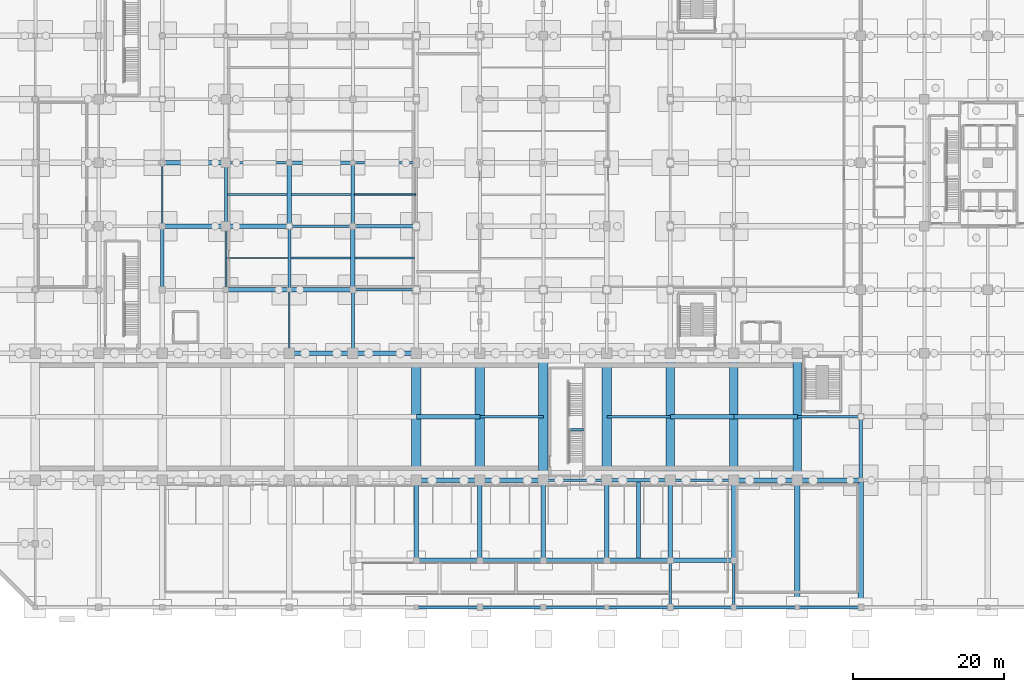
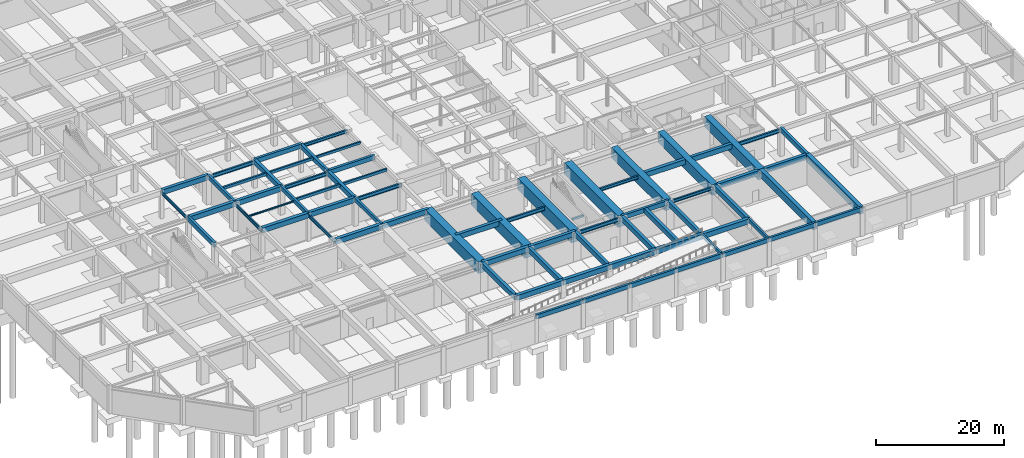
# One storey, part 11 of 26: 74 beams.
"""IFC4 building model written with IfcOpenShell, lengths in metres."""

from ifc_helpers import new_model, si_unit, direction, frame, origin, origin_2d, place, context, subcontext, project, spatial, rectangle, i_section, extrude, material, material_profile, profile_set, type_object, element, save


model = new_model("IFC4")

# Units and contexts
model_context = context("Model", 3, precision=1e-05, world=origin(), true_north=direction((0.0, 1.0)))
body_context = subcontext(model_context, "Body", "Model", "MODEL_VIEW")
ifc_project = project(units=[si_unit("LENGTHUNIT", "METRE"), si_unit("AREAUNIT", "SQUARE_METRE"), si_unit("VOLUMEUNIT", "CUBIC_METRE"), si_unit("PLANEANGLEUNIT", "RADIAN"), si_unit("MASSUNIT", "GRAM", prefix="KILO")], contexts=[model_context])

# Site, building, storey
site_placement = place(None, origin())
site = spatial("IfcSite", under=ifc_project, at=site_placement, CompositionType="ELEMENT")
building_placement = place(site_placement, origin())
building = spatial("IfcBuilding", under=site, at=building_placement, Name="Xuanlan Plaza Opera House", CompositionType="ELEMENT")
storey_placement = place(building_placement, frame((0.0, 0.0, -5.39990234375)))
storey = spatial("IfcBuildingStorey", under=building, at=storey_placement, Name="B01", CompositionType="ELEMENT", Elevation=-5.39990234375)

# Beams
ifc_material_1 = material(Name="Concrete C50", Category="concrete")
ifc_material_profile_1 = material_profile(ifc_material_1, rectangle(XDim=0.60009765625, YDim=0.949951171875, at=origin_2d()), Name="RC-BM 600x950")
ifc_profile_set_1 = profile_set([ifc_material_profile_1], Name="Concrete C50")
beam_type_1 = type_object("IfcBeamType", Name="STR-BM-B-01", PredefinedType="BEAM", material=ifc_profile_set_1)
for number, where, z_axis, x_axis, name in (
    (1, (67.199951171875, 16.800048828125, 4.9248046875), (1.0, 0.0, 0.0), (0.0, 1.0, 0.0), "Grid Beam X B01 9-10/C"),
    (2, (109.199951171875, 16.800048828125, 4.9248046875), (1.0, 0.0, 0.0), (0.0, 1.0, 0.0), "Grid Beam X B01 14-15/C"),
):
    element("IfcBeam", number, at=place(storey_placement, frame(where, z_axis=z_axis, x_axis=x_axis)), inside=storey, type_object=beam_type_1, Name=name, PredefinedType="BEAM", context=body_context, shape_type="SweptSolid", body=[
        extrude(rectangle(XDim=0.60009765625, YDim=0.949951171875, at=origin_2d()), origin(), (0.0, 0.0, 1.0), 8.400146484375),
    ])
beam_1_placement = place(storey_placement, frame((100.800048828125, 25.199951171875, 4.9248046875), z_axis=(1.0, 0.0, 0.0), x_axis=(0.0, 1.0, 0.0)))
element("IfcBeam", 3, at=beam_1_placement, inside=storey, type_object=beam_type_1, Name="Grid Beam X B01 13-14/D", PredefinedType="BEAM", context=body_context, shape_type="SweptSolid", body=[
    extrude(rectangle(XDim=0.60009765625, YDim=0.949951171875, at=origin_2d()), origin(), (0.0, 0.0, 1.0), 8.39990234375),
])
beam_2_placement = place(storey_placement, frame((50.39990234375, 33.60009765625, 4.9248046875), z_axis=(1.0, 0.0, 0.0), x_axis=(0.0, 1.0, 0.0)))
element("IfcBeam", 4, at=beam_2_placement, inside=storey, type_object=beam_type_1, Name="Grid Beam X B01 7-8/E", PredefinedType="BEAM", context=body_context, shape_type="SweptSolid", body=[
    extrude(rectangle(XDim=0.60009765625, YDim=0.949951171875, at=origin_2d()), origin(), (0.0, 0.0, 1.0), 8.400146484375),
])
for number, where, z_axis, x_axis, name in (
    (5, (42.0, 42.0, 4.9248046875), (1.0, 0.0, 0.0), (0.0, 1.0, 0.0), "Grid Beam X B01 6-7/F"),
    (6, (33.60009765625, 50.39990234375, 4.9248046875), (1.0, 0.0, 0.0), (0.0, 1.0, 0.0), "Grid Beam X B01 5-6/G"),
):
    element("IfcBeam", number, at=place(storey_placement, frame(where, z_axis=z_axis, x_axis=x_axis)), inside=storey, type_object=beam_type_1, Name=name, PredefinedType="BEAM", context=body_context, shape_type="SweptSolid", body=[
        extrude(rectangle(XDim=0.60009765625, YDim=0.949951171875, at=origin_2d()), origin(), (0.0, 0.0, 1.0), 8.39990234375),
    ])
beam_3_placement = place(storey_placement, frame((67.199951171875, 6.199951171875, 4.9248046875), z_axis=(1.0, 0.0, 0.0), x_axis=(0.0, 1.0, 0.0)))
element("IfcBeam", 7, at=beam_3_placement, inside=storey, type_object=beam_type_1, Name="Vehicle Ramp Edge Trimmer Beam B01 X67-75", PredefinedType="BEAM", context=body_context, shape_type="SweptSolid", body=[
    extrude(rectangle(XDim=0.60009765625, YDim=0.949951171875, at=origin_2d()), origin(), (0.0, 0.0, 1.0), 8.400146484375),
])
for number, where, z_axis, x_axis, name in (
    (8, (75.60009765625, 6.199951171875, 4.9248046875), (1.0, 0.0, 0.0), (0.0, 1.0, 0.0), "Vehicle Ramp Edge Trimmer Beam B01 X75-84"),
    (9, (84.0, 6.199951171875, 4.9248046875), (1.0, 0.0, 0.0), (0.0, 1.0, 0.0), "Vehicle Ramp Edge Trimmer Beam B01 X84-92"),
):
    element("IfcBeam", number, at=place(storey_placement, frame(where, z_axis=z_axis, x_axis=x_axis)), inside=storey, type_object=beam_type_1, Name=name, PredefinedType="BEAM", context=body_context, shape_type="SweptSolid", body=[
        extrude(rectangle(XDim=0.60009765625, YDim=0.949951171875, at=origin_2d()), origin(), (0.0, 0.0, 1.0), 8.39990234375),
    ])
beam_4_placement = place(storey_placement, frame((92.39990234375, 6.199951171875, 4.9248046875), z_axis=(1.0, 0.0, 0.0), x_axis=(0.0, 1.0, 0.0)))
element("IfcBeam", 10, at=beam_4_placement, inside=storey, type_object=beam_type_1, Name="Vehicle Ramp Edge Trimmer Beam B01 X92-100", PredefinedType="BEAM", context=body_context, shape_type="SweptSolid", body=[
    extrude(rectangle(XDim=0.60009765625, YDim=0.949951171875, at=origin_2d()), origin(), (0.0, 0.0, 1.0), 8.400146484375),
])
beam_5_placement = place(storey_placement, frame((100.800048828125, 6.199951171875, 4.9248046875), z_axis=(1.0, 0.0, 0.0), x_axis=(0.0, 1.0, 0.0)))
element("IfcBeam", 11, at=beam_5_placement, inside=storey, type_object=beam_type_1, Name="Vehicle Ramp Edge Trimmer Beam B01 X100-109", PredefinedType="BEAM", context=body_context, shape_type="SweptSolid", body=[
    extrude(rectangle(XDim=0.60009765625, YDim=0.949951171875, at=origin_2d()), origin(), (0.0, 0.0, 1.0), 8.39990234375),
])
ifc_material_profile_2 = material_profile(ifc_material_1, rectangle(XDim=0.550048828125, YDim=0.949951171875, at=origin_2d()), Name="RC-BM 550x950")
ifc_profile_set_2 = profile_set([ifc_material_profile_2], Name="Concrete C50")
beam_type_2 = type_object("IfcBeamType", Name="STR-BM-B-02", PredefinedType="BEAM", material=ifc_profile_set_2)
for number, where, z_axis, x_axis, name in (
    (12, (75.60009765625, 16.800048828125, 4.9248046875), (1.0, 0.0, 0.0), (0.0, 1.0, 0.0), "Grid Beam X B01 10-11/C"),
    (13, (117.60009765625, 16.800048828125, 4.9248046875), (1.0, 0.0, 0.0), (0.0, 1.0, 0.0), "Grid Beam X B01 15-16/C"),
):
    element("IfcBeam", number, at=place(storey_placement, frame(where, z_axis=z_axis, x_axis=x_axis)), inside=storey, type_object=beam_type_2, Name=name, PredefinedType="BEAM", context=body_context, shape_type="SweptSolid", body=[
        extrude(rectangle(XDim=0.550048828125, YDim=0.949951171875, at=origin_2d()), origin(), (0.0, 0.0, 1.0), 8.39990234375),
    ])
for number, where, z_axis, x_axis, name in (
    (14, (67.199951171875, 25.199951171875, 4.9248046875), (1.0, 0.0, 0.0), (0.0, 1.0, 0.0), "Grid Beam X B01 9-10/D"),
    (15, (109.199951171875, 25.199951171875, 4.9248046875), (1.0, 0.0, 0.0), (0.0, 1.0, 0.0), "Grid Beam X B01 14-15/D"),
):
    element("IfcBeam", number, at=place(storey_placement, frame(where, z_axis=z_axis, x_axis=x_axis)), inside=storey, type_object=beam_type_2, Name=name, PredefinedType="BEAM", context=body_context, shape_type="SweptSolid", body=[
        extrude(rectangle(XDim=0.550048828125, YDim=0.949951171875, at=origin_2d()), origin(), (0.0, 0.0, 1.0), 8.400146484375),
    ])
beam_6_placement = place(storey_placement, frame((58.800048828125, 33.60009765625, 4.9248046875), z_axis=(1.0, 0.0, 0.0), x_axis=(0.0, 1.0, 0.0)))
element("IfcBeam", 16, at=beam_6_placement, inside=storey, type_object=beam_type_2, Name="Grid Beam X B01 8-9/E", PredefinedType="BEAM", context=body_context, shape_type="SweptSolid", body=[
    extrude(rectangle(XDim=0.550048828125, YDim=0.949951171875, at=origin_2d()), origin(), (0.0, 0.0, 1.0), 8.39990234375),
])
beam_7_placement = place(storey_placement, frame((50.39990234375, 42.0, 4.9248046875), z_axis=(1.0, 0.0, 0.0), x_axis=(0.0, 1.0, 0.0)))
element("IfcBeam", 17, at=beam_7_placement, inside=storey, type_object=beam_type_2, Name="Grid Beam X B01 7-8/F", PredefinedType="BEAM", context=body_context, shape_type="SweptSolid", body=[
    extrude(rectangle(XDim=0.550048828125, YDim=0.949951171875, at=origin_2d()), origin(), (0.0, 0.0, 1.0), 8.400146484375),
])
for number, where, z_axis, x_axis, name in (
    (18, (42.0, 50.39990234375, 4.9248046875), (1.0, 0.0, 0.0), (0.0, 1.0, 0.0), "Grid Beam X B01 6-7/G"),
    (19, (33.60009765625, 58.800048828125, 4.9248046875), (1.0, 0.0, 0.0), (0.0, 1.0, 0.0), "Grid Beam X B01 5-6/H"),
):
    element("IfcBeam", number, at=place(storey_placement, frame(where, z_axis=z_axis, x_axis=x_axis)), inside=storey, type_object=beam_type_2, Name=name, PredefinedType="BEAM", context=body_context, shape_type="SweptSolid", body=[
        extrude(rectangle(XDim=0.550048828125, YDim=0.949951171875, at=origin_2d()), origin(), (0.0, 0.0, 1.0), 8.39990234375),
    ])
beam_8_placement = place(storey_placement, frame((50.39990234375, 50.39990234375, 4.9248046875), z_axis=(0.0, 1.0, 0.0), x_axis=(-1.0, 0.0, 0.0)))
element("IfcBeam", 20, at=beam_8_placement, inside=storey, type_object=beam_type_2, Name="Grid Beam Y B01 7/G-H", PredefinedType="BEAM", context=body_context, shape_type="SweptSolid", body=[
    extrude(rectangle(XDim=0.550048828125, YDim=0.949951171875, at=origin_2d()), origin(), (0.0, 0.0, 1.0), 8.400146484375),
])
beam_9_placement = place(storey_placement, frame((58.800048828125, 42.0, 4.9248046875), z_axis=(0.0, 1.0, 0.0), x_axis=(-1.0, 0.0, 0.0)))
element("IfcBeam", 21, at=beam_9_placement, inside=storey, type_object=beam_type_2, Name="Grid Beam Y B01 8/F-G", PredefinedType="BEAM", context=body_context, shape_type="SweptSolid", body=[
    extrude(rectangle(XDim=0.550048828125, YDim=0.949951171875, at=origin_2d()), origin(), (0.0, 0.0, 1.0), 8.39990234375),
])
ifc_material_2 = material(Name="Concrete C40", Category="concrete")
ifc_material_profile_3 = material_profile(ifc_material_2, rectangle(XDim=0.449951171875, YDim=0.85009765625, at=origin_2d()), Name="RC-BM 450x850")
ifc_profile_set_3 = profile_set([ifc_material_profile_3], Name="Concrete C40")
beam_type_3 = type_object("IfcBeamType", Name="STR-BM-B-04", PredefinedType="BEAM", material=ifc_profile_set_3)
beam_10_placement = place(storey_placement, frame((92.39990234375, 16.800048828125, 4.974853515625), z_axis=(1.0, 0.0, 0.0), x_axis=(0.0, 1.0, 0.0)))
element("IfcBeam", 22, at=beam_10_placement, inside=storey, type_object=beam_type_3, Name="Grid Beam X B01 12-13/C", PredefinedType="BEAM", context=body_context, shape_type="SweptSolid", body=[
    extrude(rectangle(XDim=0.449951171875, YDim=0.85009765625, at=origin_2d()), origin(), (0.0, 0.0, 1.0), 8.400146484375),
])
beam_11_placement = place(storey_placement, frame((58.800048828125, 50.39990234375, 4.974853515625), z_axis=(1.0, 0.0, 0.0), x_axis=(0.0, 1.0, 0.0)))
element("IfcBeam", 23, at=beam_11_placement, inside=storey, type_object=beam_type_3, Name="Grid Beam X B01 8-9/G", PredefinedType="BEAM", context=body_context, shape_type="SweptSolid", body=[
    extrude(rectangle(XDim=0.449951171875, YDim=0.85009765625, at=origin_2d()), origin(), (0.0, 0.0, 1.0), 8.39990234375),
])
beam_12_placement = place(storey_placement, frame((50.39990234375, 58.800048828125, 4.974853515625), z_axis=(1.0, 0.0, 0.0), x_axis=(0.0, 1.0, 0.0)))
element("IfcBeam", 24, at=beam_12_placement, inside=storey, type_object=beam_type_3, Name="Grid Beam X B01 7-8/H", PredefinedType="BEAM", context=body_context, shape_type="SweptSolid", body=[
    extrude(rectangle(XDim=0.449951171875, YDim=0.85009765625, at=origin_2d()), origin(), (0.0, 0.0, 1.0), 8.400146484375),
])
beam_13_placement = place(storey_placement, frame((33.60009765625, 42.0, 4.974853515625), z_axis=(0.0, 1.0, 0.0), x_axis=(-1.0, 0.0, 0.0)))
element("IfcBeam", 25, at=beam_13_placement, inside=storey, type_object=beam_type_3, Name="Grid Beam Y B01 5/F-G", PredefinedType="BEAM", context=body_context, shape_type="SweptSolid", body=[
    extrude(rectangle(XDim=0.449951171875, YDim=0.85009765625, at=origin_2d()), origin(), (0.0, 0.0, 1.0), 8.39990234375),
])
beam_14_placement = place(storey_placement, frame((58.800048828125, 50.39990234375, 4.974853515625), z_axis=(0.0, 1.0, 0.0), x_axis=(-1.0, 0.0, 0.0)))
element("IfcBeam", 26, at=beam_14_placement, inside=storey, type_object=beam_type_3, Name="Grid Beam Y B01 8/G-H", PredefinedType="BEAM", context=body_context, shape_type="SweptSolid", body=[
    extrude(rectangle(XDim=0.449951171875, YDim=0.85009765625, at=origin_2d()), origin(), (0.0, 0.0, 1.0), 8.400146484375),
])
beam_15_placement = place(storey_placement, frame((126.0, 16.800048828125, 4.974853515625), z_axis=(0.0, 1.0, 0.0), x_axis=(-1.0, 0.0, 0.0)))
element("IfcBeam", 27, at=beam_15_placement, inside=storey, type_object=beam_type_3, Name="Grid Beam Y B01 16/C-D", PredefinedType="BEAM", context=body_context, shape_type="SweptSolid", body=[
    extrude(rectangle(XDim=0.449951171875, YDim=0.85009765625, at=origin_2d()), origin(), (0.0, 0.0, 1.0), 8.39990234375),
])
ifc_material_profile_4 = material_profile(ifc_material_2, rectangle(XDim=0.39990234375, YDim=0.75, at=origin_2d()), Name="RC-BM 400x750")
ifc_profile_set_4 = profile_set([ifc_material_profile_4], Name="Concrete C40")
beam_type_4 = type_object("IfcBeamType", Name="STR-BM-B-06", PredefinedType="BEAM", material=ifc_profile_set_4)
beam_16_placement = place(storey_placement, frame((42.0, 50.39990234375, 5.02490234375), z_axis=(0.0, 1.0, 0.0), x_axis=(-1.0, 0.0, 0.0)))
element("IfcBeam", 28, at=beam_16_placement, inside=storey, type_object=beam_type_4, Name="Grid Beam Y B01 6/G-H", PredefinedType="BEAM", context=body_context, shape_type="SweptSolid", body=[
    extrude(rectangle(XDim=0.39990234375, YDim=0.75, at=origin_2d()), origin(), (0.0, 0.0, 1.0), 8.400146484375),
])
for number, where, z_axis, x_axis, name in (
    (29, (50.39990234375, 42.0, 5.02490234375), (0.0, 1.0, 0.0), (-1.0, 0.0, 0.0), "Grid Beam Y B01 7/F-G"),
    (30, (58.800048828125, 33.60009765625, 5.02490234375), (0.0, 1.0, 0.0), (-1.0, 0.0, 0.0), "Grid Beam Y B01 8/E-F"),
):
    element("IfcBeam", number, at=place(storey_placement, frame(where, z_axis=z_axis, x_axis=x_axis)), inside=storey, type_object=beam_type_4, Name=name, PredefinedType="BEAM", context=body_context, shape_type="SweptSolid", body=[
        extrude(rectangle(XDim=0.39990234375, YDim=0.75, at=origin_2d()), origin(), (0.0, 0.0, 1.0), 8.39990234375),
    ])
ifc_material_profile_5 = material_profile(ifc_material_2, rectangle(XDim=0.35009765625, YDim=0.60009765625, at=origin_2d()), Name="RC-BM 350x600")
ifc_profile_set_5 = profile_set([ifc_material_profile_5], Name="Concrete C40")
beam_type_5 = type_object("IfcBeamType", Name="STR-BM-B-10", PredefinedType="BEAM", material=ifc_profile_set_5)
for number, where, z_axis, x_axis, name in (
    (31, (100.800048828125, 0.0, 5.099853515625), (0.0, 1.0, 0.0), (-1.0, 0.0, 0.0), "Sub-Bay Beam Y B01 13/A-RMP"),
    (32, (109.199951171875, 0.0, 5.099853515625), (0.0, 1.0, 0.0), (-1.0, 0.0, 0.0), "Sub-Bay Beam Y B01 14/A-RMP"),
):
    element("IfcBeam", number, at=place(storey_placement, frame(where, z_axis=z_axis, x_axis=x_axis)), inside=storey, type_object=beam_type_5, Name=name, PredefinedType="BEAM", context=body_context, shape_type="SweptSolid", body=[
        extrude(rectangle(XDim=0.35009765625, YDim=0.60009765625, at=origin_2d()), origin(), (0.0, 0.0, 1.0), 6.199951171875),
    ])
ifc_material_3 = material(Name="Steel Q355B", Category="steel")
ifc_material_profile_6 = material_profile(ifc_material_3, i_section(OverallWidth=0.14990234375, OverallDepth=0.300048828125, WebThickness=0.006591796875, FlangeThickness=0.009033203125, FilletRadius=0.012939453125, at=origin_2d()), Name="HN 300x150x6.5x9")
ifc_profile_set_6 = profile_set([ifc_material_profile_6], Name="Steel Q355B")
beam_type_6 = type_object("IfcBeamType", Name="STR-BM-J-04", PredefinedType="JOIST", material=ifc_profile_set_6)
beam_17_placement = place(storey_placement, frame((42.10009765625, 46.199951171875, 4.94482421875), z_axis=(1.0, 0.0, 0.0), x_axis=(0.0, 1.0, 0.0)))
element("IfcBeam", 33, at=beam_17_placement, inside=storey, type_object=beam_type_6, Name="Heavy Floor Joist B01 6-7/Fm", PredefinedType="JOIST", context=body_context, shape_type="SweptSolid", body=[
    extrude(i_section(OverallWidth=0.14990234375, OverallDepth=0.300048828125, WebThickness=0.006591796875, FlangeThickness=0.009033203125, FilletRadius=0.012939453125, at=origin_2d()), origin(), (0.0, 0.0, 1.0), 8.099853515625),
])
ifc_material_profile_7 = material_profile(ifc_material_2, rectangle(XDim=0.300048828125, YDim=0.52001953125, at=origin_2d()), Name="RC-JST 300x520")
ifc_profile_set_7 = profile_set([ifc_material_profile_7], Name="Concrete C40")
beam_type_7 = type_object("IfcBeamType", Name="STR-BM-J-05", PredefinedType="JOIST", material=ifc_profile_set_7)
beam_18_placement = place(storey_placement, frame((50.60009765625, 46.199951171875, 5.139892578125), z_axis=(1.0, 0.0, 0.0), x_axis=(0.0, 1.0, 0.0)))
element("IfcBeam", 34, at=beam_18_placement, inside=storey, type_object=beam_type_7, Name="Heavy Floor Joist B01 7-8/Fm", PredefinedType="JOIST", context=body_context, shape_type="SweptSolid", body=[
    extrude(rectangle(XDim=0.300048828125, YDim=0.52001953125, at=origin_2d()), origin(), (0.0, 0.0, 1.0), 7.9248046875),
])
beam_19_placement = place(storey_placement, frame((42.199951171875, 54.60009765625, 5.139892578125), z_axis=(1.0, 0.0, 0.0), x_axis=(0.0, 1.0, 0.0)))
element("IfcBeam", 35, at=beam_19_placement, inside=storey, type_object=beam_type_7, Name="Heavy Floor Joist B01 6-7/Gm", PredefinedType="JOIST", context=body_context, shape_type="SweptSolid", body=[
    extrude(rectangle(XDim=0.300048828125, YDim=0.52001953125, at=origin_2d()), origin(), (0.0, 0.0, 1.0), 7.925048828125),
])
ifc_material_profile_8 = material_profile(ifc_material_2, rectangle(XDim=0.280029296875, YDim=0.5, at=origin_2d()), Name="RC-JST 280x500")
ifc_profile_set_8 = profile_set([ifc_material_profile_8], Name="Concrete C40")
beam_type_8 = type_object("IfcBeamType", Name="STR-BM-J-06", PredefinedType="JOIST", material=ifc_profile_set_8)
beam_20_placement = place(storey_placement, frame((59.074951171875, 46.199951171875, 5.14990234375), z_axis=(1.0, 0.0, 0.0), x_axis=(0.0, 1.0, 0.0)))
element("IfcBeam", 36, at=beam_20_placement, inside=storey, type_object=beam_type_8, Name="Heavy Floor Joist B01 8-9/Fm", PredefinedType="JOIST", context=body_context, shape_type="SweptSolid", body=[
    extrude(rectangle(XDim=0.280029296875, YDim=0.5, at=origin_2d()), origin(), (0.0, 0.0, 1.0), 7.900146484375),
])
beam_21_placement = place(storey_placement, frame((50.675048828125, 54.60009765625, 5.14990234375), z_axis=(1.0, 0.0, 0.0), x_axis=(0.0, 1.0, 0.0)))
element("IfcBeam", 37, at=beam_21_placement, inside=storey, type_object=beam_type_8, Name="Heavy Floor Joist B01 7-8/Gm", PredefinedType="JOIST", context=body_context, shape_type="SweptSolid", body=[
    extrude(rectangle(XDim=0.280029296875, YDim=0.5, at=origin_2d()), origin(), (0.0, 0.0, 1.0), 7.89990234375),
])
ifc_material_profile_9 = material_profile(ifc_material_2, rectangle(XDim=0.25, YDim=0.449951171875, at=origin_2d()), Name="RC-JST 250x450")
ifc_profile_set_9 = profile_set([ifc_material_profile_9], Name="Concrete C40")
beam_type_9 = type_object("IfcBeamType", Name="STR-BM-J-07", PredefinedType="JOIST", material=ifc_profile_set_9)
beam_22_placement = place(storey_placement, frame((59.02490234375, 54.60009765625, 5.1748046875), z_axis=(1.0, 0.0, 0.0), x_axis=(0.0, 1.0, 0.0)))
element("IfcBeam", 38, at=beam_22_placement, inside=storey, type_object=beam_type_9, Name="Heavy Floor Joist B01 8-9/Gm", PredefinedType="JOIST", context=body_context, shape_type="SweptSolid", body=[
    extrude(rectangle(XDim=0.25, YDim=0.449951171875, at=origin_2d()), origin(), (0.0, 0.0, 1.0), 8.0751953125),
])
ifc_material_profile_10 = material_profile(ifc_material_1, rectangle(XDim=0.699951171875, YDim=1.39990234375, at=origin_2d()), Name="RC-LG 700x1400")
ifc_profile_set_10 = profile_set([ifc_material_profile_10], Name="Concrete C50")
beam_type_10 = type_object("IfcBeamType", Name="STR-BM-LG-01", PredefinedType="BEAM", material=ifc_profile_set_10)
for number, where, z_axis, x_axis, name in (
    (39, (117.60009765625, 0.0, 4.699951171875), (0.0, 1.0, 0.0), (-1.0, 0.0, 0.0), "Grid Beam Y B01 15/A-C"),
    (40, (126.0, 0.0, 4.699951171875), (0.0, 1.0, 0.0), (-1.0, 0.0, 0.0), "Grid Beam Y B01 16/A-C"),
):
    element("IfcBeam", number, at=place(storey_placement, frame(where, z_axis=z_axis, x_axis=x_axis)), inside=storey, type_object=beam_type_10, Name=name, PredefinedType="BEAM", context=body_context, shape_type="SweptSolid", body=[
        extrude(rectangle(XDim=0.699951171875, YDim=1.39990234375, at=origin_2d()), origin(), (0.0, 0.0, 1.0), 16.800048828125),
    ])
ifc_material_profile_11 = material_profile(ifc_material_2, rectangle(XDim=0.300048828125, YDim=0.39990234375, at=origin_2d()), Name="RC-LNT 300x400")
ifc_profile_set_11 = profile_set([ifc_material_profile_11], Name="Concrete C40")
beam_type_11 = type_object("IfcBeamType", Name="STR-BM-LN-01", PredefinedType="LINTEL", material=ifc_profile_set_11)
beam_23_placement = place(storey_placement, frame((87.300048828125, 23.47509765625, 2.2998046875), z_axis=(1.0, 0.0, 0.0), x_axis=(0.0, 1.0, 0.0)))
element("IfcBeam", 41, at=beam_23_placement, inside=storey, type_object=beam_type_11, Name="Stair Mid-Landing Trimmer Beam ST-P3 B01", PredefinedType="LINTEL", context=body_context, shape_type="SweptSolid", body=[
    extrude(rectangle(XDim=0.300048828125, YDim=0.39990234375, at=origin_2d()), origin(), (0.0, 0.0, 1.0), 2.050048828125),
])
ifc_material_profile_12 = material_profile(ifc_material_1, rectangle(XDim=0.550048828125, YDim=0.949951171875, at=origin_2d()), Name="RC-BM 550x950")
ifc_profile_set_12 = profile_set([ifc_material_profile_12], Name="Concrete C50")
beam_type_12 = type_object("IfcBeamType", Name="STR-BM-RG-01", PredefinedType="BEAM", material=ifc_profile_set_12)
for number, where, z_axis, x_axis, name in (
    (42, (100.800048828125, 6.199951171875, 4.9248046875), (0.0, 1.0, 0.0), (-1.0, 0.0, 0.0), "Vehicle Ramp Bay Beam Y B01 13/RMP-C"),
    (43, (109.199951171875, 6.199951171875, 4.9248046875), (0.0, 1.0, 0.0), (-1.0, 0.0, 0.0), "Vehicle Ramp Bay Beam Y B01 14/RMP-C"),
    (44, (67.199951171875, 6.199951171875, 4.9248046875), (0.0, 1.0, 0.0), (-1.0, 0.0, 0.0), "Vehicle Ramp Bay Transverse Beam B01 X67"),
    (45, (75.60009765625, 6.199951171875, 4.9248046875), (0.0, 1.0, 0.0), (-1.0, 0.0, 0.0), "Vehicle Ramp Bay Transverse Beam B01 X75"),
    (46, (84.0, 6.199951171875, 4.9248046875), (0.0, 1.0, 0.0), (-1.0, 0.0, 0.0), "Vehicle Ramp Bay Transverse Beam B01 X84"),
    (47, (92.39990234375, 6.199951171875, 4.9248046875), (0.0, 1.0, 0.0), (-1.0, 0.0, 0.0), "Vehicle Ramp Bay Transverse Beam B01 X92"),
):
    element("IfcBeam", number, at=place(storey_placement, frame(where, z_axis=z_axis, x_axis=x_axis)), inside=storey, type_object=beam_type_12, Name=name, PredefinedType="BEAM", context=body_context, shape_type="SweptSolid", body=[
        extrude(rectangle(XDim=0.550048828125, YDim=0.949951171875, at=origin_2d()), origin(), (0.0, 0.0, 1.0), 10.60009765625),
    ])
beam_24_placement = place(storey_placement, frame((96.60009765625, 6.5, 4.9248046875), z_axis=(0.0, 1.0, 0.0), x_axis=(-1.0, 0.0, 0.0)))
element("IfcBeam", 48, at=beam_24_placement, inside=storey, type_object=beam_type_12, Name="Vehicle Ramp Bay Transverse Beam B01 X96", PredefinedType="BEAM", context=body_context, shape_type="SweptSolid", body=[
    extrude(rectangle(XDim=0.550048828125, YDim=0.949951171875, at=origin_2d()), origin(), (0.0, 0.0, 1.0), 10.074951171875),
])
ifc_material_profile_13 = material_profile(ifc_material_3, i_section(OverallWidth=0.300048828125, OverallDepth=0.699951171875, WebThickness=0.012939453125, FlangeThickness=0.02392578125, FilletRadius=0.02392578125, at=origin_2d()), Name="HN 700x300x13x24")
ifc_profile_set_13 = profile_set([ifc_material_profile_13], Name="Steel Q355B")
beam_type_13 = type_object("IfcBeamType", Name="STR-BM-SB-03", PredefinedType="BEAM", material=ifc_profile_set_13)
for number, where, z_axis, x_axis, name in (
    (49, (84.0, 16.800048828125, 4.744873046875), (1.0, 0.0, 0.0), (0.0, 1.0, 0.0), "Grid Beam X B01 11-12/C"),
    (50, (75.60009765625, 25.199951171875, 4.744873046875), (1.0, 0.0, 0.0), (0.0, 1.0, 0.0), "Grid Beam X B01 10-11/D"),
    (51, (117.60009765625, 25.199951171875, 4.744873046875), (1.0, 0.0, 0.0), (0.0, 1.0, 0.0), "Grid Beam X B01 15-16/D"),
    (52, (58.800048828125, 42.0, 4.744873046875), (1.0, 0.0, 0.0), (0.0, 1.0, 0.0), "Grid Beam X B01 8-9/F"),
):
    element("IfcBeam", number, at=place(storey_placement, frame(where, z_axis=z_axis, x_axis=x_axis)), inside=storey, type_object=beam_type_13, Name=name, PredefinedType="BEAM", context=body_context, shape_type="SweptSolid", body=[
        extrude(i_section(OverallWidth=0.300048828125, OverallDepth=0.699951171875, WebThickness=0.012939453125, FlangeThickness=0.02392578125, FilletRadius=0.02392578125, at=origin_2d()), origin(), (0.0, 0.0, 1.0), 8.39990234375),
    ])
beam_25_placement = place(storey_placement, frame((50.39990234375, 50.39990234375, 4.744873046875), z_axis=(1.0, 0.0, 0.0), x_axis=(0.0, 1.0, 0.0)))
element("IfcBeam", 53, at=beam_25_placement, inside=storey, type_object=beam_type_13, Name="Grid Beam X B01 7-8/G", PredefinedType="BEAM", context=body_context, shape_type="SweptSolid", body=[
    extrude(i_section(OverallWidth=0.300048828125, OverallDepth=0.699951171875, WebThickness=0.012939453125, FlangeThickness=0.02392578125, FilletRadius=0.02392578125, at=origin_2d()), origin(), (0.0, 0.0, 1.0), 8.400146484375),
])
beam_26_placement = place(storey_placement, frame((42.0, 58.800048828125, 4.744873046875), z_axis=(1.0, 0.0, 0.0), x_axis=(0.0, 1.0, 0.0)))
element("IfcBeam", 54, at=beam_26_placement, inside=storey, type_object=beam_type_13, Name="Grid Beam X B01 6-7/H", PredefinedType="BEAM", context=body_context, shape_type="SweptSolid", body=[
    extrude(i_section(OverallWidth=0.300048828125, OverallDepth=0.699951171875, WebThickness=0.012939453125, FlangeThickness=0.02392578125, FilletRadius=0.02392578125, at=origin_2d()), origin(), (0.0, 0.0, 1.0), 8.39990234375),
])
ifc_material_profile_14 = material_profile(ifc_material_3, i_section(OverallWidth=0.199951171875, OverallDepth=0.60009765625, WebThickness=0.010986328125, FlangeThickness=0.01708984375, FilletRadius=0.02197265625, at=origin_2d()), Name="HN 600x200x11x17")
ifc_profile_set_14 = profile_set([ifc_material_profile_14], Name="Steel Q355B")
beam_type_14 = type_object("IfcBeamType", Name="STR-BM-SB-04", PredefinedType="BEAM", material=ifc_profile_set_14)
beam_27_placement = place(storey_placement, frame((33.60009765625, 50.39990234375, 4.794921875), z_axis=(0.0, 1.0, 0.0), x_axis=(-1.0, 0.0, 0.0)))
element("IfcBeam", 55, at=beam_27_placement, inside=storey, type_object=beam_type_14, Name="Grid Beam Y B01 5/G-H", PredefinedType="BEAM", context=body_context, shape_type="SweptSolid", body=[
    extrude(i_section(OverallWidth=0.199951171875, OverallDepth=0.60009765625, WebThickness=0.010986328125, FlangeThickness=0.01708984375, FilletRadius=0.02197265625, at=origin_2d()), origin(), (0.0, 0.0, 1.0), 8.400146484375),
])
for number, where, z_axis, x_axis, name in (
    (56, (42.0, 42.0, 4.794921875), (0.0, 1.0, 0.0), (-1.0, 0.0, 0.0), "Grid Beam Y B01 6/F-G"),
    (57, (50.39990234375, 33.60009765625, 4.794921875), (0.0, 1.0, 0.0), (-1.0, 0.0, 0.0), "Grid Beam Y B01 7/E-F"),
):
    element("IfcBeam", number, at=place(storey_placement, frame(where, z_axis=z_axis, x_axis=x_axis)), inside=storey, type_object=beam_type_14, Name=name, PredefinedType="BEAM", context=body_context, shape_type="SweptSolid", body=[
        extrude(i_section(OverallWidth=0.199951171875, OverallDepth=0.60009765625, WebThickness=0.010986328125, FlangeThickness=0.01708984375, FilletRadius=0.02197265625, at=origin_2d()), origin(), (0.0, 0.0, 1.0), 8.39990234375),
    ])
ifc_material_profile_15 = material_profile(ifc_material_3, i_section(OverallWidth=0.300048828125, OverallDepth=0.587890625, WebThickness=0.011962890625, FlangeThickness=0.02001953125, FilletRadius=0.02392578125, at=origin_2d()), Name="HM 588x300x12x20")
ifc_profile_set_15 = profile_set([ifc_material_profile_15], Name="Steel Q355B")
beam_type_15 = type_object("IfcBeamType", Name="STR-BM-SB-06", PredefinedType="BEAM", material=ifc_profile_set_15)
beam_28_placement = place(storey_placement, frame((100.800048828125, 16.800048828125, 4.80078125), z_axis=(1.0, 0.0, 0.0), x_axis=(0.0, 1.0, 0.0)))
element("IfcBeam", 58, at=beam_28_placement, inside=storey, type_object=beam_type_15, Name="Grid Beam X B01 13-14/C", PredefinedType="BEAM", context=body_context, shape_type="SweptSolid", body=[
    extrude(i_section(OverallWidth=0.300048828125, OverallDepth=0.587890625, WebThickness=0.011962890625, FlangeThickness=0.02001953125, FilletRadius=0.02392578125, at=origin_2d()), origin(), (0.0, 0.0, 1.0), 8.39990234375),
])
beam_29_placement = place(storey_placement, frame((92.39990234375, 25.199951171875, 4.80078125), z_axis=(1.0, 0.0, 0.0), x_axis=(0.0, 1.0, 0.0)))
element("IfcBeam", 59, at=beam_29_placement, inside=storey, type_object=beam_type_15, Name="Grid Beam X B01 12-13/D", PredefinedType="BEAM", context=body_context, shape_type="SweptSolid", body=[
    extrude(i_section(OverallWidth=0.300048828125, OverallDepth=0.587890625, WebThickness=0.011962890625, FlangeThickness=0.02001953125, FilletRadius=0.02392578125, at=origin_2d()), origin(), (0.0, 0.0, 1.0), 8.400146484375),
])
beam_30_placement = place(storey_placement, frame((58.800048828125, 58.800048828125, 4.80078125), z_axis=(1.0, 0.0, 0.0), x_axis=(0.0, 1.0, 0.0)))
element("IfcBeam", 60, at=beam_30_placement, inside=storey, type_object=beam_type_15, Name="Grid Beam X B01 8-9/H", PredefinedType="BEAM", context=body_context, shape_type="SweptSolid", body=[
    extrude(i_section(OverallWidth=0.300048828125, OverallDepth=0.587890625, WebThickness=0.011962890625, FlangeThickness=0.02001953125, FilletRadius=0.02392578125, at=origin_2d()), origin(), (0.0, 0.0, 1.0), 8.39990234375),
])
ifc_material_profile_16 = material_profile(ifc_material_2, rectangle(XDim=0.39990234375, YDim=0.800048828125, at=origin_2d()), Name="RC-SPD 400x800")
ifc_profile_set_16 = profile_set([ifc_material_profile_16], Name="Concrete C40")
beam_type_16 = type_object("IfcBeamType", Name="STR-BM-SP-01", PredefinedType="SPANDREL", material=ifc_profile_set_16)
beam_31_placement = place(storey_placement, frame((67.199951171875, 0.0, 5.0), z_axis=(1.0, 0.0, 0.0), x_axis=(0.0, 1.0, 0.0)))
element("IfcBeam", 61, at=beam_31_placement, inside=storey, type_object=beam_type_16, Name="Grid Beam X B01 9-10/A", PredefinedType="SPANDREL", context=body_context, shape_type="SweptSolid", body=[
    extrude(rectangle(XDim=0.39990234375, YDim=0.800048828125, at=origin_2d()), origin(), (0.0, 0.0, 1.0), 8.400146484375),
])
for number, where, z_axis, x_axis, name in (
    (62, (75.60009765625, 0.0, 5.0), (1.0, 0.0, 0.0), (0.0, 1.0, 0.0), "Grid Beam X B01 10-11/A"),
    (63, (84.0, 0.0, 5.0), (1.0, 0.0, 0.0), (0.0, 1.0, 0.0), "Grid Beam X B01 11-12/A"),
):
    element("IfcBeam", number, at=place(storey_placement, frame(where, z_axis=z_axis, x_axis=x_axis)), inside=storey, type_object=beam_type_16, Name=name, PredefinedType="SPANDREL", context=body_context, shape_type="SweptSolid", body=[
        extrude(rectangle(XDim=0.39990234375, YDim=0.800048828125, at=origin_2d()), origin(), (0.0, 0.0, 1.0), 8.39990234375),
    ])
beam_32_placement = place(storey_placement, frame((92.39990234375, 0.0, 5.0), z_axis=(1.0, 0.0, 0.0), x_axis=(0.0, 1.0, 0.0)))
element("IfcBeam", 64, at=beam_32_placement, inside=storey, type_object=beam_type_16, Name="Grid Beam X B01 12-13/A", PredefinedType="SPANDREL", context=body_context, shape_type="SweptSolid", body=[
    extrude(rectangle(XDim=0.39990234375, YDim=0.800048828125, at=origin_2d()), origin(), (0.0, 0.0, 1.0), 8.400146484375),
])
beam_33_placement = place(storey_placement, frame((100.800048828125, 0.0, 5.0), z_axis=(1.0, 0.0, 0.0), x_axis=(0.0, 1.0, 0.0)))
element("IfcBeam", 65, at=beam_33_placement, inside=storey, type_object=beam_type_16, Name="Grid Beam X B01 13-14/A", PredefinedType="SPANDREL", context=body_context, shape_type="SweptSolid", body=[
    extrude(rectangle(XDim=0.39990234375, YDim=0.800048828125, at=origin_2d()), origin(), (0.0, 0.0, 1.0), 8.39990234375),
])
beam_34_placement = place(storey_placement, frame((109.199951171875, 0.0, 5.0), z_axis=(1.0, 0.0, 0.0), x_axis=(0.0, 1.0, 0.0)))
element("IfcBeam", 66, at=beam_34_placement, inside=storey, type_object=beam_type_16, Name="Grid Beam X B01 14-15/A", PredefinedType="SPANDREL", context=body_context, shape_type="SweptSolid", body=[
    extrude(rectangle(XDim=0.39990234375, YDim=0.800048828125, at=origin_2d()), origin(), (0.0, 0.0, 1.0), 8.400146484375),
])
beam_35_placement = place(storey_placement, frame((117.60009765625, 0.0, 5.0), z_axis=(1.0, 0.0, 0.0), x_axis=(0.0, 1.0, 0.0)))
element("IfcBeam", 67, at=beam_35_placement, inside=storey, type_object=beam_type_16, Name="Grid Beam X B01 15-16/A", PredefinedType="SPANDREL", context=body_context, shape_type="SweptSolid", body=[
    extrude(rectangle(XDim=0.39990234375, YDim=0.800048828125, at=origin_2d()), origin(), (0.0, 0.0, 1.0), 8.39990234375),
])
ifc_material_4 = material(Name="Concrete C60", Category="concrete")
ifc_material_profile_17 = material_profile(ifc_material_4, rectangle(XDim=1.300048828125, YDim=2.199951171875, at=origin_2d()), Name="RC-TG 1300x2200")
ifc_profile_set_17 = profile_set([ifc_material_profile_17], Name="Concrete C60")
beam_type_17 = type_object("IfcBeamType", Name="STR-BM-TG-01", PredefinedType="BEAM", material=ifc_profile_set_17)
for number, where, z_axis, x_axis, name in (
    (68, (67.199951171875, 16.800048828125, 4.2998046875), (0.0, 1.0, 0.0), (-1.0, 0.0, 0.0), "Metro Transfer Girder TG-S08"),
    (69, (75.60009765625, 16.800048828125, 4.2998046875), (0.0, 1.0, 0.0), (-1.0, 0.0, 0.0), "Metro Transfer Girder TG-S09"),
    (70, (84.0, 16.800048828125, 4.2998046875), (0.0, 1.0, 0.0), (-1.0, 0.0, 0.0), "Metro Transfer Girder TG-S10"),
    (71, (92.39990234375, 16.800048828125, 4.2998046875), (0.0, 1.0, 0.0), (-1.0, 0.0, 0.0), "Metro Transfer Girder TG-S11"),
):
    element("IfcBeam", number, at=place(storey_placement, frame(where, z_axis=z_axis, x_axis=x_axis)), inside=storey, type_object=beam_type_17, Name=name, PredefinedType="BEAM", context=body_context, shape_type="SweptSolid", body=[
        extrude(rectangle(XDim=1.300048828125, YDim=2.199951171875, at=origin_2d()), origin(), (0.0, 0.0, 1.0), 16.800048828125),
    ])
ifc_material_profile_18 = material_profile(ifc_material_1, rectangle(XDim=1.10009765625, YDim=2.0, at=origin_2d()), Name="RC-TG 1100x2000")
ifc_profile_set_18 = profile_set([ifc_material_profile_18], Name="Concrete C50")
beam_type_18 = type_object("IfcBeamType", Name="STR-BM-TG-02", PredefinedType="BEAM", material=ifc_profile_set_18)
for number, where, z_axis, x_axis, name in (
    (72, (100.800048828125, 16.800048828125, 4.39990234375), (0.0, 1.0, 0.0), (-1.0, 0.0, 0.0), "Metro Transfer Girder TG-S12"),
    (73, (109.199951171875, 16.800048828125, 4.39990234375), (0.0, 1.0, 0.0), (-1.0, 0.0, 0.0), "Metro Transfer Girder TG-S13"),
    (74, (117.60009765625, 16.800048828125, 4.39990234375), (0.0, 1.0, 0.0), (-1.0, 0.0, 0.0), "Metro Transfer Girder TG-S14"),
):
    element("IfcBeam", number, at=place(storey_placement, frame(where, z_axis=z_axis, x_axis=x_axis)), inside=storey, type_object=beam_type_18, Name=name, PredefinedType="BEAM", context=body_context, shape_type="SweptSolid", body=[
        extrude(rectangle(XDim=1.10009765625, YDim=2.0, at=origin_2d()), origin(), (0.0, 0.0, 1.0), 16.800048828125),
    ])

save(model, "model.ifc")
